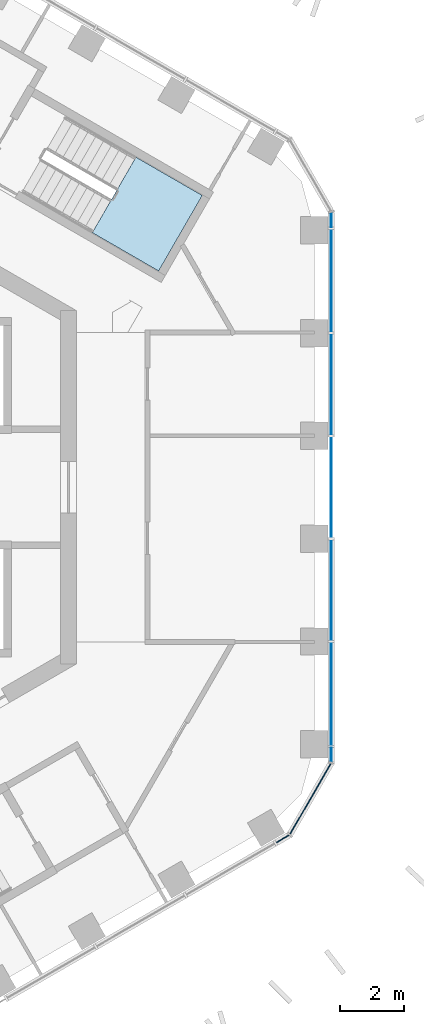
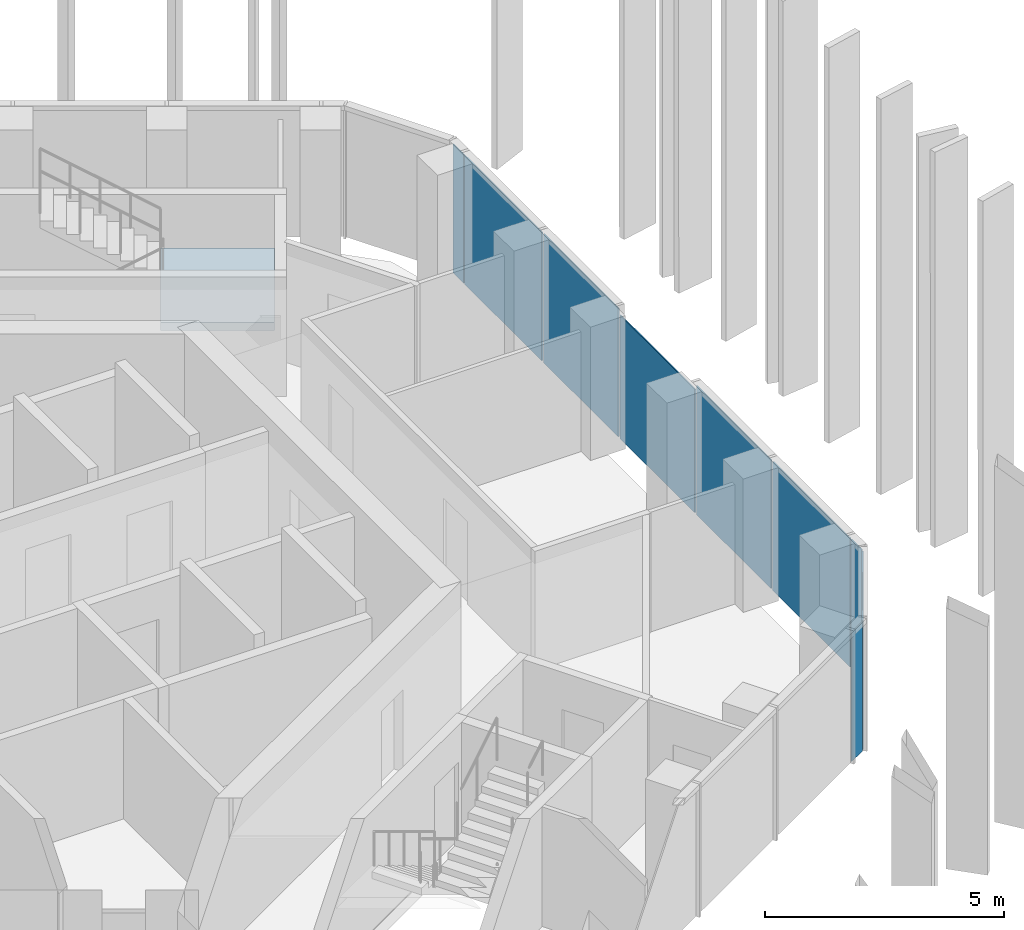
# One storey, part 10 of 18: 9 plates, 1 slab, 4 elements without a shape of their own.
"""IFC4 building model written with IfcOpenShell, lengths in metres."""

from ifc_helpers import new_model, si_unit, direction, frame, origin, origin_2d, place, context, subcontext, project, spatial, polyline, rectangle, outline, extrude, material, layer, layer_set, type_object, element, aggregate, save


model = new_model("IFC4")

# Units and contexts
model_context = context("Model", 3, precision=1e-05, world=origin(), true_north=direction((0.0, 1.0)))
body_context = subcontext(model_context, "Body", "Model", "MODEL_VIEW")
ifc_project = project(units=[si_unit("LENGTHUNIT", "METRE"), si_unit("AREAUNIT", "SQUARE_METRE"), si_unit("VOLUMEUNIT", "CUBIC_METRE"), si_unit("PLANEANGLEUNIT", "RADIAN"), si_unit("MASSUNIT", "GRAM", prefix="KILO")], contexts=[model_context])

# Site, building, storey
site_placement = place(None, origin())
site = spatial("IfcSite", under=ifc_project, at=site_placement, CompositionType="ELEMENT")
building_placement = place(site_placement, origin())
building = spatial("IfcBuilding", under=site, at=building_placement, Name="Ayvan Gate Tower", CompositionType="ELEMENT")
storey_placement = place(building_placement, frame((0.0, 0.0, 218.89990234375)))
storey = spatial("IfcBuildingStorey", under=building, at=storey_placement, Name="L58", CompositionType="ELEMENT", Elevation=218.89990234375)

# Stair, slab
ifc_material_1 = material(Name="Concrete C40/50", Category="concrete")
stair_type = type_object("IfcStairType", Name="ST-EXIT", PredefinedType="HALF_TURN_STAIR", material=ifc_material_1)
stair_placement = place(storey_placement, origin())
stair = element("IfcStair", 1, at=stair_placement, inside=storey, type_object=stair_type, Name="L58 Exit Stair S1", PredefinedType="HALF_TURN_STAIR")
ifc_layer_1 = layer(ifc_material_1, 0.199951171875)
ifc_layer_set_1 = layer_set([ifc_layer_1], Name="Concrete C40/50")
slab_type = type_object("IfcSlabType", Name="SL-LANDING-200", PredefinedType="LANDING", material=ifc_layer_set_1)
slab_placement = place(storey_placement, frame((0.0, 0.0, 1.5)))
slab = element("IfcSlab", 2, at=slab_placement, type_object=slab_type, Name="STS1 landing 1", PredefinedType="LANDING", context=body_context, shape_type="SweptSolid", body=[
    extrude(outline(polyline([(9.988525390625, 7.91064453125), (12.049560546875, 6.720458984375), (13.404541015625, 9.0673828125), (11.343505859375, 10.257568359375), (9.988525390625, 7.91064453125)])), origin(), (0.0, 0.0, 1.0), 0.2001953125),
])
aggregate(stair, [slab])

# Curtain wall, plates
ifc_material_2 = material(Name="Bronze anodised aluminium", Category="aluminium")
ifc_layer_2 = layer(ifc_material_2, 0.199951171875)
ifc_layer_set_2 = layer_set([ifc_layer_2], Name="Bronze anodised aluminium")
curtain_wall_type_1 = type_object("IfcCurtainWallType", Name="Stick curtain wall CW-2", PredefinedType="NOTDEFINED", material=ifc_layer_set_2)
curtain_wall_1_placement = place(storey_placement, origin())
curtain_wall_1 = element("IfcCurtainWall", 3, at=curtain_wall_1_placement, inside=storey, type_object=curtain_wall_type_1, Name="Stick curtain wall CW-2 L58", PredefinedType="NOTDEFINED")
ifc_material_3 = material(Name="Clear low-iron laminated glass", Category="glass")
ifc_layer_3 = layer(ifc_material_3, 0.028076171875)
ifc_layer_set_3 = layer_set([ifc_layer_3], Name="Clear low-iron laminated glass")
plate_type_1 = type_object("IfcPlateType", Name="Stick curtain wall CW-2 glass panel", PredefinedType="CURTAIN_PANEL", material=ifc_layer_set_3)
plate_1_placement = place(storey_placement, frame((17.41259765625, -6.4384765625, 0.0), z_axis=(0.0, 0.0, 1.0), x_axis=(0.0, 1.0, 0.0)))
plate_1 = element("IfcPlate", 4, at=plate_1_placement, type_object=plate_type_1, Name="CW-2 glass panel 1", PredefinedType="CURTAIN_PANEL", context=body_context, shape_type="SweptSolid", body=[
    extrude(rectangle(XDim=3.22705078125, YDim=0.028076171875, at=origin_2d()), origin(), (0.0, 0.0, 1.0), 3.280029296875),
])
plate_2_placement = place(storey_placement, frame((17.41259765625, -3.193603515625, 0.0), z_axis=(0.0, 0.0, 1.0), x_axis=(0.0, 1.0, 0.0)))
plate_2 = element("IfcPlate", 5, at=plate_2_placement, type_object=plate_type_1, Name="CW-2 glass panel 2", PredefinedType="CURTAIN_PANEL", context=body_context, shape_type="SweptSolid", body=[
    extrude(rectangle(XDim=3.123046875, YDim=0.028076171875, at=origin_2d()), origin(), (0.0, 0.0, 1.0), 3.280029296875),
])
plate_3_placement = place(storey_placement, frame((17.41259765625, 0.0, 0.000244140625), z_axis=(0.0, 0.0, 1.0), x_axis=(0.0, 1.0, 0.0)))
plate_3 = element("IfcPlate", 6, at=plate_3_placement, type_object=plate_type_1, Name="CW-2 glass panel 3", PredefinedType="CURTAIN_PANEL", context=body_context, shape_type="SweptSolid", body=[
    extrude(rectangle(XDim=3.1240234375, YDim=0.028076171875, at=origin_2d()), origin(), (0.0, 0.0, 1.0), 3.14990234375),
])
plate_4_placement = place(storey_placement, frame((17.41259765625, 3.193359375, 0.0), z_axis=(0.0, 0.0, 1.0), x_axis=(0.0, 1.0, 0.0)))
plate_4 = element("IfcPlate", 7, at=plate_4_placement, type_object=plate_type_1, Name="CW-2 glass panel 4", PredefinedType="CURTAIN_PANEL", context=body_context, shape_type="SweptSolid", body=[
    extrude(rectangle(XDim=3.123046875, YDim=0.028076171875, at=origin_2d()), origin(), (0.0, 0.0, 1.0), 3.280029296875),
])
plate_5_placement = place(storey_placement, frame((17.41259765625, 6.4384765625, 0.0), z_axis=(0.0, 0.0, 1.0), x_axis=(0.0, 1.0, 0.0)))
plate_5 = element("IfcPlate", 8, at=plate_5_placement, type_object=plate_type_1, Name="CW-2 glass panel 5", PredefinedType="CURTAIN_PANEL", context=body_context, shape_type="SweptSolid", body=[
    extrude(rectangle(XDim=3.22705078125, YDim=0.028076171875, at=origin_2d()), origin(), (0.0, 0.0, 1.0), 3.280029296875),
])
aggregate(curtain_wall_1, [plate_1, plate_2, plate_3, plate_4, plate_5])

ifc_layer_4 = layer(ifc_material_2, 0.199951171875)
ifc_layer_set_4 = layer_set([ifc_layer_4], Name="Bronze anodised aluminium")
curtain_wall_type_2 = type_object("IfcCurtainWallType", Name="Stick curtain wall CW-6", PredefinedType="NOTDEFINED", material=ifc_layer_set_4)
curtain_wall_2_placement = place(storey_placement, origin())
curtain_wall_2 = element("IfcCurtainWall", 9, at=curtain_wall_2_placement, inside=storey, type_object=curtain_wall_type_2, Name="Stick curtain wall CW-6 L58", PredefinedType="NOTDEFINED")
ifc_layer_5 = layer(ifc_material_3, 0.028076171875)
ifc_layer_set_5 = layer_set([ifc_layer_5], Name="Clear low-iron laminated glass")
plate_type_2 = type_object("IfcPlateType", Name="Stick curtain wall CW-6 glass panel", PredefinedType="CURTAIN_PANEL", material=ifc_layer_set_5)
plate_6_placement = place(storey_placement, frame((15.90478515625, -10.923583984375, 0.0), z_axis=(0.0, 0.0, 1.0), x_axis=(0.866025403784, 0.5, 0.0)))
plate_6 = element("IfcPlate", 10, at=plate_6_placement, type_object=plate_type_2, Name="CW-6 glass panel 1", PredefinedType="CURTAIN_PANEL", context=body_context, shape_type="SweptSolid", body=[
    extrude(rectangle(XDim=0.449951171875, YDim=0.028076171875, at=origin_2d()), origin(), (0.0, 0.0, 1.0), 3.280029296875),
])
plate_7_placement = place(storey_placement, frame((16.766845703125, -9.680419921875, 0.0), z_axis=(0.0, 0.0, 1.0), x_axis=(0.5, 0.866025403784, 0.0)))
plate_7 = element("IfcPlate", 11, at=plate_7_placement, type_object=plate_type_2, Name="CW-6 glass panel 2", PredefinedType="CURTAIN_PANEL", context=body_context, shape_type="SweptSolid", body=[
    extrude(rectangle(XDim=2.532470703125, YDim=0.028076171875, at=origin_2d()), origin(), (0.0, 0.0, 1.0), 3.280029296875),
])
plate_8_placement = place(storey_placement, frame((17.41259765625, -8.31201171875, 0.0), z_axis=(0.0, 0.0, 1.0), x_axis=(0.0, 1.0, 0.0)))
plate_8 = element("IfcPlate", 12, at=plate_8_placement, type_object=plate_type_2, Name="CW-6 glass panel 3", PredefinedType="CURTAIN_PANEL", context=body_context, shape_type="SweptSolid", body=[
    extrude(rectangle(XDim=0.449951171875, YDim=0.028076171875, at=origin_2d()), origin(), (0.0, 0.0, 1.0), 3.280029296875),
])
aggregate(curtain_wall_2, [plate_6, plate_7, plate_8])

# Curtain wall, plate
curtain_wall_3_placement = place(storey_placement, origin())
curtain_wall_3 = element("IfcCurtainWall", 13, at=curtain_wall_3_placement, inside=storey, type_object=curtain_wall_type_2, Name="Stick curtain wall CW-6 L58", PredefinedType="NOTDEFINED")
plate_9_placement = place(storey_placement, frame((17.41259765625, 8.31201171875, 0.0), z_axis=(0.0, 0.0, 1.0), x_axis=(0.0, 1.0, 0.0)))
plate_9 = element("IfcPlate", 14, at=plate_9_placement, type_object=plate_type_2, Name="CW-6 glass panel 1", PredefinedType="CURTAIN_PANEL", context=body_context, shape_type="SweptSolid", body=[
    extrude(rectangle(XDim=0.449951171875, YDim=0.028076171875, at=origin_2d()), origin(), (0.0, 0.0, 1.0), 3.280029296875),
])
aggregate(curtain_wall_3, [plate_9])

save(model, "model.ifc")
